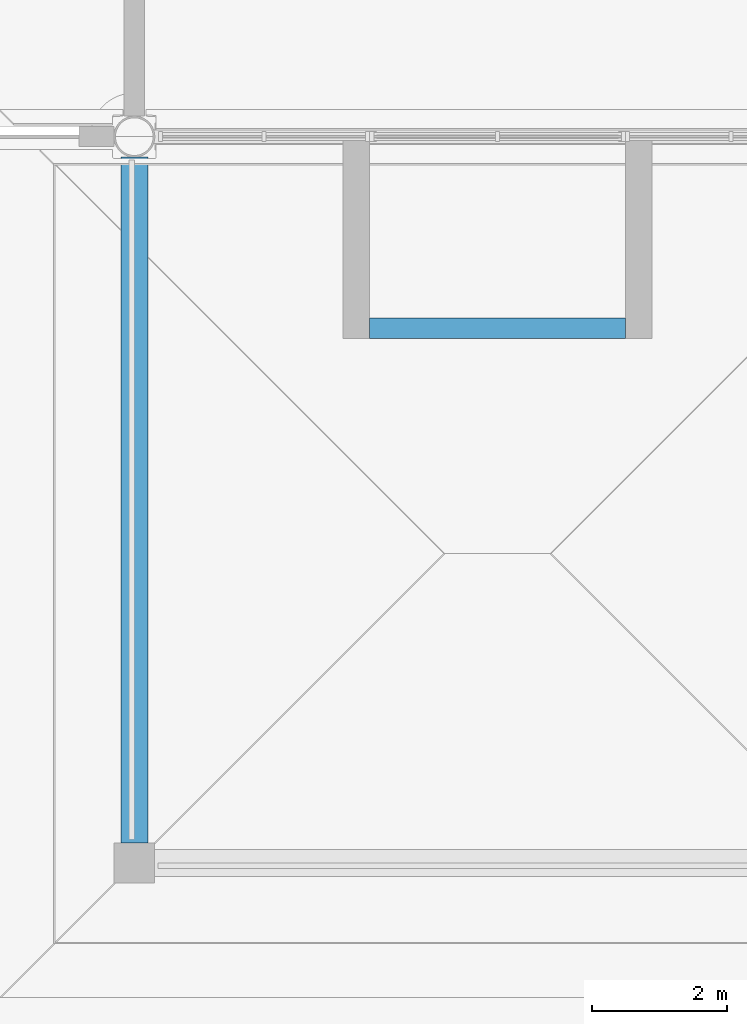
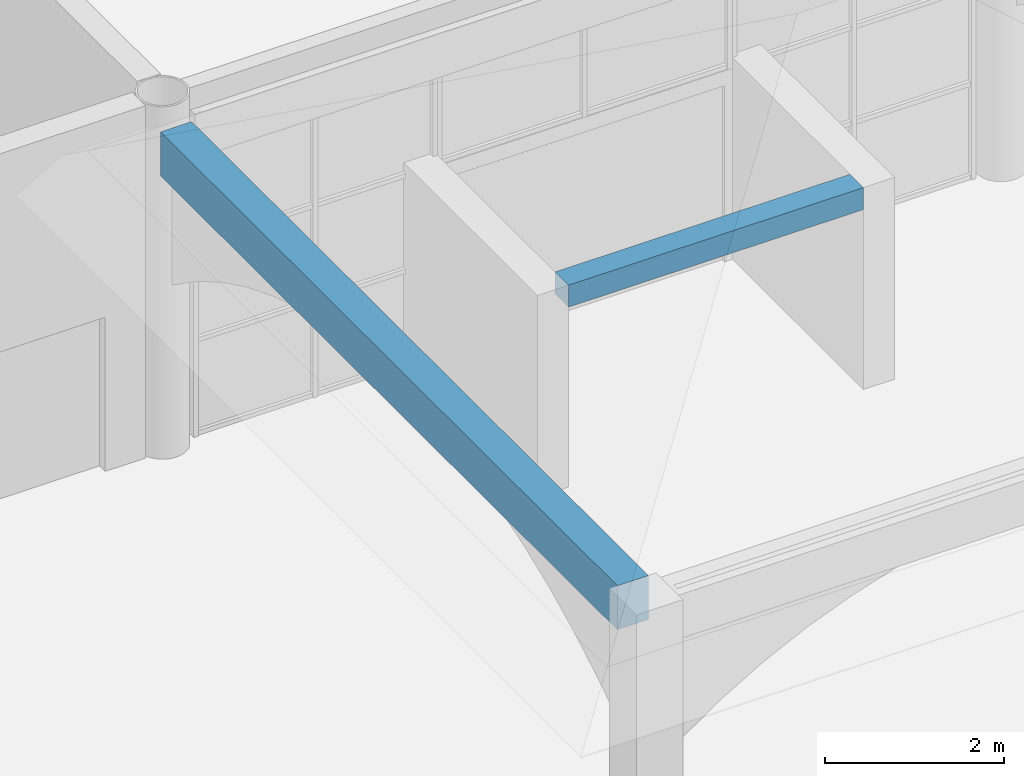
# One storey, part 14 of 91: 2 beams.
"""IFC4 building model written with IfcOpenShell, lengths in metres."""

from ifc_helpers import new_model, si_unit, direction, frame, origin, origin_2d, place, context, subcontext, project, spatial, rectangle, extrude, material, material_profile, profile_set, type_object, element, save


model = new_model("IFC4")

# Units and contexts
model_context = context("Model", 3, precision=1e-05, world=origin(), true_north=direction((0.0, 1.0)))
body_context = subcontext(model_context, "Body", "Model", "MODEL_VIEW")
ifc_project = project(units=[si_unit("LENGTHUNIT", "METRE"), si_unit("AREAUNIT", "SQUARE_METRE"), si_unit("VOLUMEUNIT", "CUBIC_METRE"), si_unit("PLANEANGLEUNIT", "RADIAN"), si_unit("MASSUNIT", "GRAM", prefix="KILO")], contexts=[model_context])

# Site, building, storey
site_placement = place(None, origin())
site = spatial("IfcSite", under=ifc_project, at=site_placement, CompositionType="ELEMENT")
building_placement = place(site_placement, origin())
building = spatial("IfcBuilding", under=site, at=building_placement, Name="Magnolia Steps Interchange", CompositionType="ELEMENT")
storey_placement = place(building_placement, origin())
storey = spatial("IfcBuildingStorey", under=building, at=storey_placement, Name="L00", CompositionType="ELEMENT", Elevation=0.0)

# Beams
ifc_material_1 = material(Name="Concrete C40", Category="concrete")
ifc_material_profile_1 = material_profile(ifc_material_1, rectangle(XDim=0.300048828125, YDim=0.300048828125, at=origin_2d()), Name="RC300x300")
ifc_profile_set_1 = profile_set([ifc_material_profile_1], Name="Concrete C40")
beam_type_1 = type_object("IfcBeamType", Name="Canopy edge beam 300x300", PredefinedType="BEAM", material=ifc_profile_set_1)
beam_1_placement = place(storey_placement, frame((67.5, 39.550048828125, 2.60009765625), z_axis=(1.0, 0.0, 0.0), x_axis=(0.0, 1.0, 0.0)))
element("IfcBeam", 1, at=beam_1_placement, inside=storey, type_object=beam_type_1, Name="Entrance canopy edge beam 2", PredefinedType="BEAM", context=body_context, shape_type="SweptSolid", body=[
    extrude(rectangle(XDim=0.300048828125, YDim=0.300048828125, at=origin_2d()), origin(), (0.0, 0.0, 1.0), 3.800048828125),
])
ifc_material_2 = material(Name="Concrete C40", Category="concrete")
ifc_material_profile_2 = material_profile(ifc_material_2, rectangle(XDim=0.39990234375, YDim=0.60009765625, at=origin_2d()), Name="RC400x600")
ifc_profile_set_2 = profile_set([ifc_material_profile_2], Name="Concrete C40")
beam_type_2 = type_object("IfcBeamType", Name="RC beam 400x600", PredefinedType="BEAM", material=ifc_profile_set_2)
beam_2_placement = place(storey_placement, frame((64.0, 42.094970703125, 4.199951171875), z_axis=(0.0, -1.0, 0.0), x_axis=(1.0, 0.0, 0.0)))
element("IfcBeam", 2, at=beam_2_placement, inside=storey, type_object=beam_type_2, Name="Portico eave beam S2", PredefinedType="BEAM", context=body_context, shape_type="SweptSolid", body=[
    extrude(rectangle(XDim=0.39990234375, YDim=0.60009765625, at=origin_2d()), origin(), (0.0, 0.0, 1.0), 10.195068359375),
])

save(model, "model.ifc")
